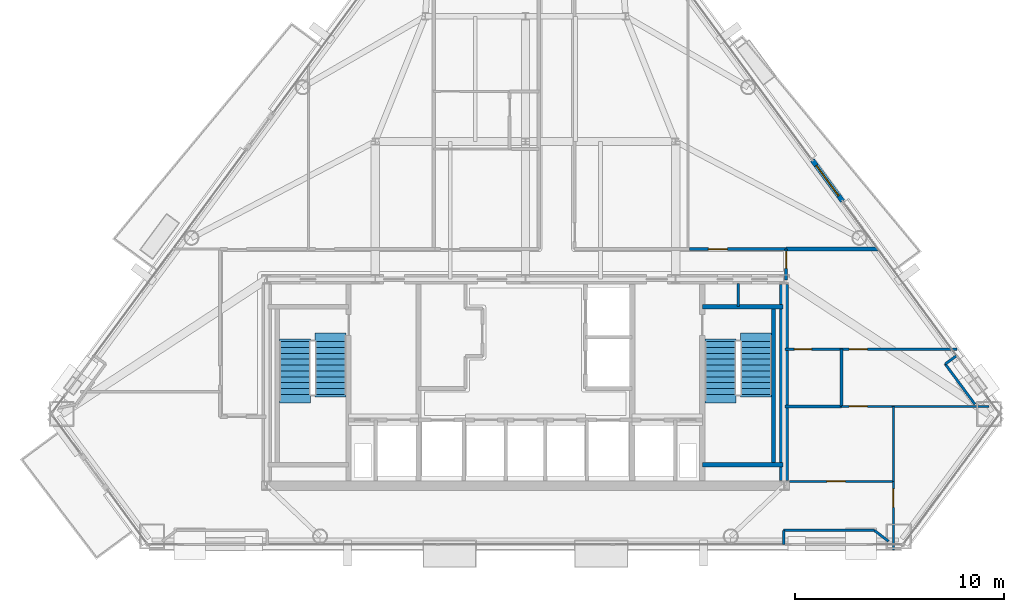
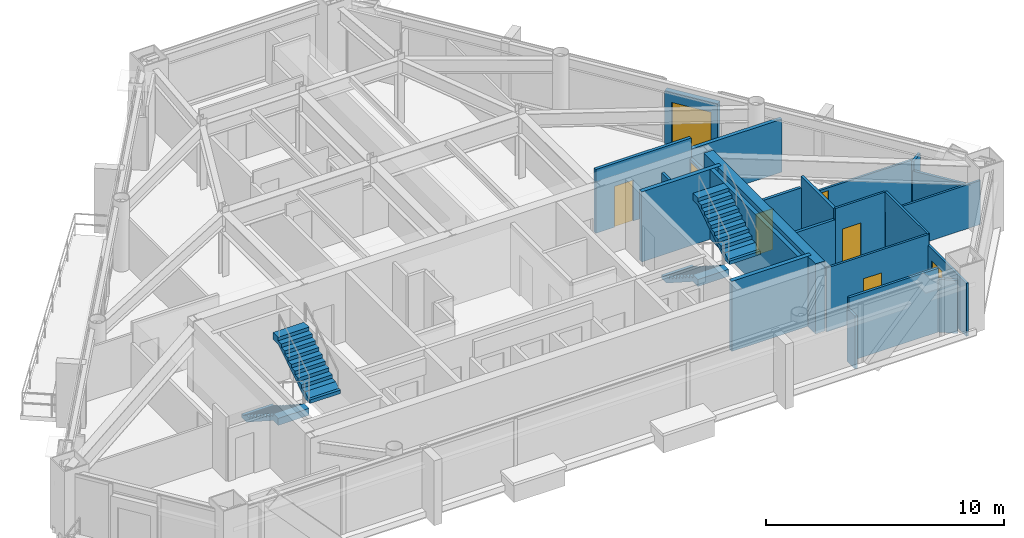
# One storey, part 10 of 12: 23 walls, 8 doors, 4 stair flights, 8 openings, 2 elements without a shape of their own.
"""IFC4 building model written with IfcOpenShell, lengths in metres."""

from ifc_helpers import new_model, si_unit, direction, frame, frame_2d, origin, place, context, subcontext, project, spatial, polyline, rectangle, outline, extrude, material, layer, layer_set, type_object, element, fill, aggregate, save


model = new_model("IFC4")

# Units and contexts
model_context = context("Model", 3, precision=1e-05, world=origin(), true_north=direction((0.0, 1.0)))
body_context = subcontext(model_context, "Body", "Model", "MODEL_VIEW")
ifc_project = project(units=[si_unit("LENGTHUNIT", "METRE"), si_unit("AREAUNIT", "SQUARE_METRE"), si_unit("VOLUMEUNIT", "CUBIC_METRE"), si_unit("PLANEANGLEUNIT", "RADIAN"), si_unit("MASSUNIT", "GRAM", prefix="KILO")], contexts=[model_context])

# Site, building, storey
site_placement = place(None, origin())
site = spatial("IfcSite", under=ifc_project, at=site_placement, CompositionType="ELEMENT")
building_placement = place(site_placement, origin())
building = spatial("IfcBuilding", under=site, at=building_placement, Name="Talgorran Terracotta Tower", CompositionType="ELEMENT")
storey_placement = place(building_placement, frame((0.0, 0.0, 165.300048828125)))
storey = spatial("IfcBuildingStorey", under=building, at=storey_placement, Name="L43", CompositionType="ELEMENT", Elevation=165.300048828125)

# Wall, opening, door
ifc_material_1 = material(Name="Concrete C40/50", Category="concrete")
ifc_layer_1 = layer(ifc_material_1, 0.239990234375, Name="WT_BALCONY_SPAND")
ifc_layer_set_1 = layer_set([ifc_layer_1], Name="Concrete C40/50")
wall_type_1 = type_object("IfcWallType", Name="WT_BALCONY_SPAND", PredefinedType="STANDARD", material=ifc_layer_set_1)
wall_1_placement = place(storey_placement, frame((15.20849609375, -0.460693359375, -0.01513671875), z_axis=(0.0, 0.0, 1.0), x_axis=(-0.593785976482, 0.804623026102, 0.0)))
wall_1 = element("IfcWall", 1, at=wall_1_placement, inside=storey, type_object=wall_type_1, Name="WL-L43-BALP-BAL-NE", PredefinedType="STANDARD", context=body_context, shape_type="SweptSolid", body=[
    extrude(rectangle(XDim=2.439697265625, YDim=0.239990234375, at=frame_2d((1.2197265625, 0.0))), origin(), (0.0, 0.0, 1.0), 2.737060546875),
])
opening_1_placement = place(wall_1_placement, frame((0.320068359375, 0.0, 0.014892578125)))
opening_1 = element("IfcOpeningElement", 2, at=opening_1_placement, cuts=wall_1, Name="Opening D-BAL-L43-1", PredefinedType="OPENING", context=body_context, shape_type="SweptSolid", body=[
    extrude(rectangle(XDim=1.806048828125, YDim=2.203951171875, at=frame_2d((0.89990234375, 1.10205078125))), frame((0.0, 0.1298828125, 0.0), z_axis=(0.0, -1.0, 0.0), x_axis=(1.0, 0.0, 0.0)), (0.0, 0.0, 1.0), 0.260009765625),
])
ifc_material_2 = material(Name="Thermally Broken Aluminium", Category="aluminium")
door_type_1 = type_object("IfcDoorType", Name="DT_BALC_1800", OperationType="SLIDING_TO_LEFT", PredefinedType="DOOR", material=ifc_material_2)
door_1_placement = place(opening_1_placement, origin())
door_1 = element("IfcDoor", 3, at=door_1_placement, inside=storey, type_object=door_type_1, Name="DR-L43-BAL-BAL-NE", OperationType="SLIDING_TO_LEFT", OverallHeight=2.199951171875, OverallWidth=1.800048828125, PredefinedType="DOOR", context=body_context, shape_type="SweptSolid", body=[
    extrude(rectangle(XDim=1.800048828125, YDim=2.199951171875, at=frame_2d((0.89990234375, 1.10009765625))), frame((0.0, 0.02490234375, 0.0), z_axis=(0.0, -1.0, 0.0), x_axis=(1.0, 0.0, 0.0)), (0.0, 0.0, 1.0), 0.050048828125),
])
fill(opening_1, door_1)

# Walls
ifc_material_3 = material(Name="Concrete C50/60", Category="concrete")
ifc_layer_2 = layer(ifc_material_3, 0.199951171875, Name="WT_CORE_200")
ifc_layer_set_2 = layer_set([ifc_layer_2], Name="Concrete C50/60")
wall_type_2 = type_object("IfcWallType", Name="WT_CORE_200", PredefinedType="SOLIDWALL", material=ifc_layer_set_2)
for number, where, z_axis, x_axis, name in (
    (4, (8.47998046875, -5.52001953125, 0.0), (0.0, 0.0, 1.0), (1.0, 0.0, 0.0), "WL-L43-CW-ST2-N"),
    (5, (8.47998046875, -13.10009765625, 0.0), (0.0, 0.0, 1.0), (1.0, 0.0, 0.0), "WL-L43-CW-ST2-S"),
):
    element("IfcWall", number, at=place(storey_placement, frame(where, z_axis=z_axis, x_axis=x_axis)), inside=storey, type_object=wall_type_2, Name=name, PredefinedType="SOLIDWALL", context=body_context, shape_type="SweptSolid", body=[
        extrude(rectangle(XDim=3.8701171875, YDim=0.199951171875, at=frame_2d((1.93505859375, 0.0))), origin(), (0.0, 0.0, 1.0), 3.599853515625),
    ])
wall_2_placement = place(storey_placement, frame((11.89990234375, -13.10009765625, 0.0), z_axis=(0.0, 0.0, 1.0), x_axis=(0.0, 1.0, 0.0)))
element("IfcWall", 6, at=wall_2_placement, inside=storey, type_object=wall_type_2, Name="WL-L43-CW-ST2-E", PredefinedType="SOLIDWALL", context=body_context, shape_type="SweptSolid", body=[
    extrude(rectangle(XDim=7.580078125, YDim=0.199951171875, at=frame_2d((3.7900390625, 0.0))), origin(), (0.0, 0.0, 1.0), 3.599853515625),
])
ifc_material_4 = material(Name="Concrete C65/80", Category="concrete")
ifc_layer_3 = layer(ifc_material_4, 0.449951171875, Name="WT_CORE_EXT")
ifc_layer_set_3 = layer_set([ifc_layer_3], Name="Concrete C65/80")
wall_type_3 = type_object("IfcWallType", Name="WT_CORE_EXT", PredefinedType="SHEAR", material=ifc_layer_set_3)
wall_3_placement = place(storey_placement, frame((12.39990234375, -13.85009765625, 0.0), z_axis=(0.0, 0.0, 1.0), x_axis=(0.0, 1.0, 0.0)))
element("IfcWall", 7, at=wall_3_placement, inside=storey, type_object=wall_type_3, Name="WL-L43-CW-OUT-E", PredefinedType="SHEAR", context=body_context, shape_type="SweptSolid", body=[
    extrude(rectangle(XDim=9.400146484375, YDim=0.449951171875, at=frame_2d((4.7001953125, 0.0))), origin(), (0.0, 0.0, 1.0), 3.599853515625),
])

# Wall, opening, door
ifc_material_5 = material(Name="Fire-Rated Steel Stud Plasterboard", Category="steel")
ifc_layer_4 = layer(ifc_material_5, 0.14990234375, Name="WT_FIRE_150")
ifc_layer_set_4 = layer_set([ifc_layer_4], Name="Fire-Rated Steel Stud Plasterboard")
wall_type_4 = type_object("IfcWallType", Name="WT_FIRE_150", PredefinedType="PARTITIONING", material=ifc_layer_set_4)
wall_4_placement = place(storey_placement, frame((7.862060546875, -2.760009765625, 0.0), z_axis=(0.0, 0.0, 1.0), x_axis=(1.0, 0.0, 0.0)))
wall_4 = element("IfcWall", 8, at=wall_4_placement, inside=storey, type_object=wall_type_4, Name="WL-L43-W-L43-R16", PredefinedType="PARTITIONING", context=body_context, shape_type="SweptSolid", body=[
    extrude(rectangle(XDim=4.637939453125, YDim=0.14990234375, at=frame_2d((2.31884765625, 0.0))), origin(), (0.0, 0.0, 1.0), 3.280029296875),
])
opening_2_placement = place(wall_4_placement, frame((0.912841796875, 0.0, 0.0)))
opening_2 = element("IfcOpeningElement", 9, at=opening_2_placement, cuts=wall_4, Name="Opening DR-L43-R16", PredefinedType="OPENING", context=body_context, shape_type="SweptSolid", body=[
    extrude(rectangle(XDim=0.90590234375, YDim=2.10409765625, at=frame_2d((0.449951171875, 1.052001953125))), frame((0.0, 0.0849609375, 0.0), z_axis=(0.0, -1.0, 0.0), x_axis=(1.0, 0.0, 0.0)), (0.0, 0.0, 1.0), 0.169921875),
])
ifc_material_6 = material(Name="Fire-Rated Timber Core", Category="wood")
door_type_2 = type_object("IfcDoorType", Name="DT_FIRE_900", OperationType="NOTDEFINED", PredefinedType="DOOR", material=ifc_material_6)
door_2_placement = place(opening_2_placement, origin())
door_2 = element("IfcDoor", 10, at=door_2_placement, inside=storey, type_object=door_type_2, Name="DR-L43-R16", OperationType="SINGLE_SWING_RIGHT", OverallHeight=2.10009765625, OverallWidth=0.89990234375, PredefinedType="DOOR", context=body_context, shape_type="SweptSolid", body=[
    extrude(rectangle(XDim=0.89990234375, YDim=2.10009765625, at=frame_2d((0.449951171875, 1.050048828125))), frame((0.0, 0.02490234375, 0.0), z_axis=(0.0, -1.0, 0.0), x_axis=(1.0, 0.0, 0.0)), (0.0, 0.0, 1.0), 0.050048828125),
])
fill(opening_2, door_2)

wall_5_placement = place(storey_placement, frame((12.5, -4.239990234375, 0.0), z_axis=(0.0, 0.0, 1.0), x_axis=(0.0, 1.0, 0.0)))
wall_5 = element("IfcWall", 11, at=wall_5_placement, inside=storey, type_object=wall_type_4, Name="WL-L43-W-L43-R04", PredefinedType="PARTITIONING", context=body_context, shape_type="SweptSolid", body=[
    extrude(rectangle(XDim=1.47998046875, YDim=0.14990234375, at=frame_2d((0.739990234375, 0.0))), origin(), (0.0, 0.0, 1.0), 2.2548828125),
])
opening_3_placement = place(wall_5_placement, frame((0.56005859375, 0.0, 0.0)))
opening_3 = element("IfcOpeningElement", 12, at=opening_3_placement, cuts=wall_5, Name="Opening DR-L43-R03", PredefinedType="OPENING", context=body_context, shape_type="SweptSolid", body=[
    extrude(rectangle(XDim=0.826068359375, YDim=2.10409765625, at=frame_2d((0.41015625, 1.052001953125))), frame((0.0, 0.0849609375, 0.0), z_axis=(0.0, -1.0, 0.0), x_axis=(1.0, 0.0, 0.0)), (0.0, 0.0, 1.0), 0.169921875),
])
ifc_material_7 = material(Name="Moisture-Resistant Solid Timber", Category="wood")
door_type_3 = type_object("IfcDoorType", Name="DT_INT_820", OperationType="NOTDEFINED", PredefinedType="DOOR", material=ifc_material_7)
door_3_placement = place(opening_3_placement, origin())
door_3 = element("IfcDoor", 13, at=door_3_placement, inside=storey, type_object=door_type_3, Name="DR-L43-R03", OperationType="SINGLE_SWING_LEFT", OverallHeight=2.10009765625, OverallWidth=0.820068359375, PredefinedType="DOOR", context=body_context, shape_type="SweptSolid", body=[
    extrude(rectangle(XDim=0.820068359375, YDim=2.10009765625, at=frame_2d((0.41015625, 1.050048828125))), frame((0.0, 0.02490234375, 0.0), z_axis=(0.0, -1.0, 0.0), x_axis=(1.0, 0.0, 0.0)), (0.0, 0.0, 1.0), 0.050048828125),
])
fill(opening_3, door_3)

# Wall
ifc_material_8 = material(Name="Acoustic Stud and Plasterboard")
ifc_layer_5 = layer(ifc_material_8, 0.179931640625, Name="WT_PARTY_200")
ifc_layer_set_5 = layer_set([ifc_layer_5], Name="Acoustic Stud and Plasterboard")
wall_type_5 = type_object("IfcWallType", Name="WT_PARTY_200", PredefinedType="PARTITIONING", material=ifc_layer_set_5)
wall_6_placement = place(storey_placement, frame((12.5, -2.760009765625, 0.0), z_axis=(0.0, 0.0, 1.0), x_axis=(1.0, 0.0, 0.0)))
element("IfcWall", 14, at=wall_6_placement, inside=storey, type_object=wall_type_5, Name="WL-L43-W-L43-R21", PredefinedType="PARTITIONING", context=body_context, shape_type="SweptSolid", body=[
    extrude(rectangle(XDim=4.4052734375, YDim=0.179931640625, at=frame_2d((2.20263671875, 0.0))), origin(), (0.0, 0.0, 1.0), 2.721923828125),
])

# Wall, opening, door
ifc_material_9 = material(Name="Lightweight Steel Stud Partition", Category="steel")
ifc_layer_6 = layer(ifc_material_9, 0.10498046875, Name="WT_PART_110")
ifc_layer_set_6 = layer_set([ifc_layer_6], Name="Lightweight Steel Stud Partition")
wall_type_6 = type_object("IfcWallType", Name="WT_PART_110", PredefinedType="PARTITIONING", material=ifc_layer_set_6)
wall_7_placement = place(storey_placement, frame((15.080078125, -7.56005859375, 0.0), z_axis=(0.0, 0.0, 1.0), x_axis=(1.0, 0.0, 0.0)))
wall_7 = element("IfcWall", 15, at=wall_7_placement, inside=storey, type_object=wall_type_6, Name="WL-L43-W-L43-R20", PredefinedType="PARTITIONING", context=body_context, shape_type="SweptSolid", body=[
    extrude(rectangle(XDim=5.619873046875, YDim=0.10498046875, at=frame_2d((2.81005859375, 0.0))), origin(), (0.0, 0.0, 1.0), 2.2548828125),
])
opening_4_placement = place(wall_7_placement, frame((0.43701171875, 0.0, 0.0)))
opening_4 = element("IfcOpeningElement", 16, at=opening_4_placement, cuts=wall_7, Name="Opening DR-L43-R05", PredefinedType="OPENING", context=body_context, shape_type="SweptSolid", body=[
    extrude(rectangle(XDim=0.8858828125, YDim=2.10409765625, at=frame_2d((0.43994140625, 1.052001953125))), frame((0.0, 0.0625, 0.0), z_axis=(0.0, -1.0, 0.0), x_axis=(1.0, 0.0, 0.0)), (0.0, 0.0, 1.0), 0.125),
])
ifc_material_10 = material(Name="Solid-Core Painted Timber", Category="wood")
door_type_4 = type_object("IfcDoorType", Name="DT_INT_880", OperationType="NOTDEFINED", PredefinedType="DOOR", material=ifc_material_10)
door_4_placement = place(opening_4_placement, origin())
door_4 = element("IfcDoor", 17, at=door_4_placement, inside=storey, type_object=door_type_4, Name="DR-L43-R05", OperationType="SINGLE_SWING_LEFT", OverallHeight=2.10009765625, OverallWidth=0.8798828125, PredefinedType="DOOR", context=body_context, shape_type="SweptSolid", body=[
    extrude(rectangle(XDim=0.8798828125, YDim=2.10009765625, at=frame_2d((0.43994140625, 1.050048828125))), frame((0.0, 0.02490234375, 0.0), z_axis=(0.0, -1.0, 0.0), x_axis=(1.0, 0.0, 0.0)), (0.0, 0.0, 1.0), 0.050048828125),
])
fill(opening_4, door_4)

wall_8_placement = place(storey_placement, frame((12.652099609375, -13.89990234375, 0.0), z_axis=(0.0, 0.0, 1.0), x_axis=(1.0, 0.0, 0.0)))
wall_8 = element("IfcWall", 18, at=wall_8_placement, inside=storey, type_object=wall_type_6, Name="WL-L43-W-L43-R27", PredefinedType="PARTITIONING", context=body_context, shape_type="SweptSolid", body=[
    extrude(rectangle(XDim=4.98779296875, YDim=0.10498046875, at=frame_2d((2.493896484375, 0.0))), origin(), (0.0, 0.0, 1.0), 3.280029296875),
])
opening_5_placement = place(wall_8_placement, frame((1.799560546875, 0.0, 0.0)))
opening_5 = element("IfcOpeningElement", 19, at=opening_5_placement, cuts=wall_8, Name="Opening DR-L43-R06", PredefinedType="OPENING", context=body_context, shape_type="SweptSolid", body=[
    extrude(rectangle(XDim=0.8858828125, YDim=2.10409765625, at=frame_2d((0.43994140625, 1.052001953125))), frame((0.0, 0.0625, 0.0), z_axis=(0.0, -1.0, 0.0), x_axis=(1.0, 0.0, 0.0)), (0.0, 0.0, 1.0), 0.125),
])
door_5_placement = place(opening_5_placement, origin())
door_5 = element("IfcDoor", 20, at=door_5_placement, inside=storey, type_object=door_type_4, Name="DR-L43-R06", OperationType="SINGLE_SWING_RIGHT", OverallHeight=2.10009765625, OverallWidth=0.8798828125, PredefinedType="DOOR", context=body_context, shape_type="SweptSolid", body=[
    extrude(rectangle(XDim=0.8798828125, YDim=2.10009765625, at=frame_2d((0.43994140625, 1.050048828125))), frame((0.0, 0.02490234375, 0.0), z_axis=(0.0, -1.0, 0.0), x_axis=(1.0, 0.0, 0.0)), (0.0, 0.0, 1.0), 0.050048828125),
])
fill(opening_5, door_5)

# Walls
wall_9_placement = place(storey_placement, frame((17.580078125, -10.300048828125, 0.0), z_axis=(0.0, 0.0, 1.0), x_axis=(1.0, 0.0, 0.0)))
element("IfcWall", 21, at=wall_9_placement, inside=storey, type_object=wall_type_6, Name="WL-L43-W-L43-R25", PredefinedType="PARTITIONING", context=body_context, shape_type="SweptSolid", body=[
    extrude(rectangle(XDim=4.639892578125, YDim=0.10498046875, at=frame_2d((2.31982421875, 0.0))), origin(), (0.0, 0.0, 1.0), 2.2548828125),
])
wall_10_placement = place(storey_placement, frame((17.639892578125, -13.89990234375, 0.0), z_axis=(0.0, 0.0, 1.0), x_axis=(0.0, 1.0, 0.0)))
element("IfcWall", 22, at=wall_10_placement, inside=storey, type_object=wall_type_6, Name="WL-L43-W-L43-R29", PredefinedType="PARTITIONING", context=body_context, shape_type="SweptSolid", body=[
    extrude(rectangle(XDim=3.599853515625, YDim=0.10498046875, at=frame_2d((1.7998046875, 0.0))), origin(), (0.0, 0.0, 1.0), 3.280029296875),
])

# Wall, opening, door
wall_11_placement = place(storey_placement, frame((17.639892578125, -17.179931640625, 0.0), z_axis=(0.0, 0.0, 1.0), x_axis=(0.0, 1.0, 0.0)))
wall_11 = element("IfcWall", 23, at=wall_11_placement, inside=storey, type_object=wall_type_6, Name="WL-L43-W-L43-R28", PredefinedType="PARTITIONING", context=body_context, shape_type="SweptSolid", body=[
    extrude(rectangle(XDim=3.280029296875, YDim=0.10498046875, at=frame_2d((1.64013671875, 0.0))), origin(), (0.0, 0.0, 1.0), 2.721923828125),
])
opening_6_placement = place(wall_11_placement, frame((2.04248046875, 0.0, 0.0)))
opening_6 = element("IfcOpeningElement", 24, at=opening_6_placement, cuts=wall_11, Name="Opening DR-L43-R07", PredefinedType="OPENING", context=body_context, shape_type="SweptSolid", body=[
    extrude(rectangle(XDim=0.8858828125, YDim=2.10409765625, at=frame_2d((0.43994140625, 1.052001953125))), frame((0.0, 0.0625, 0.0), z_axis=(0.0, -1.0, 0.0), x_axis=(1.0, 0.0, 0.0)), (0.0, 0.0, 1.0), 0.125),
])
door_6_placement = place(opening_6_placement, origin())
door_6 = element("IfcDoor", 25, at=door_6_placement, inside=storey, type_object=door_type_4, Name="DR-L43-R07", OperationType="SINGLE_SWING_LEFT", OverallHeight=2.10009765625, OverallWidth=0.8798828125, PredefinedType="DOOR", context=body_context, shape_type="SweptSolid", body=[
    extrude(rectangle(XDim=0.8798828125, YDim=2.10009765625, at=frame_2d((0.43994140625, 1.050048828125))), frame((0.0, 0.02490234375, 0.0), z_axis=(0.0, -1.0, 0.0), x_axis=(1.0, 0.0, 0.0)), (0.0, 0.0, 1.0), 0.050048828125),
])
fill(opening_6, door_6)

wall_12_placement = place(storey_placement, frame((15.159912109375, -10.300048828125, 0.0), z_axis=(0.0, 0.0, 1.0), x_axis=(1.0, 0.0, 0.0)))
wall_12 = element("IfcWall", 26, at=wall_12_placement, inside=storey, type_object=wall_type_6, Name="WL-L43-W-L43-R24", PredefinedType="PARTITIONING", context=body_context, shape_type="SweptSolid", body=[
    extrude(rectangle(XDim=2.41796875, YDim=0.10498046875, at=frame_2d((1.208984375, 0.0))), origin(), (0.0, 0.0, 1.0), 3.280029296875),
])
opening_7_placement = place(wall_12_placement, frame((0.356689453125, 0.0, 0.0)))
opening_7 = element("IfcOpeningElement", 27, at=opening_7_placement, cuts=wall_12, Name="Opening DR-L43-R17", PredefinedType="OPENING", context=body_context, shape_type="SweptSolid", body=[
    extrude(rectangle(XDim=0.8858828125, YDim=2.10409765625, at=frame_2d((0.43994140625, 1.052001953125))), frame((0.0, 0.0625, 0.0), z_axis=(0.0, -1.0, 0.0), x_axis=(1.0, 0.0, 0.0)), (0.0, 0.0, 1.0), 0.125),
])
door_7_placement = place(opening_7_placement, origin())
door_7 = element("IfcDoor", 28, at=door_7_placement, inside=storey, type_object=door_type_4, Name="DR-L43-R17", OperationType="SINGLE_SWING_LEFT", OverallHeight=2.10009765625, OverallWidth=0.8798828125, PredefinedType="DOOR", context=body_context, shape_type="SweptSolid", body=[
    extrude(rectangle(XDim=0.8798828125, YDim=2.10009765625, at=frame_2d((0.43994140625, 1.050048828125))), frame((0.0, 0.02490234375, 0.0), z_axis=(0.0, -1.0, 0.0), x_axis=(1.0, 0.0, 0.0)), (0.0, 0.0, 1.0), 0.050048828125),
])
fill(opening_7, door_7)

# Walls
ifc_material_11 = material(Name="Insulated Steel Stud Plasterboard", Category="steel")
ifc_layer_7 = layer(ifc_material_11, 0.1201171875, Name="WT_PART_120")
ifc_layer_set_7 = layer_set([ifc_layer_7], Name="Insulated Steel Stud Plasterboard")
wall_type_7 = type_object("IfcWallType", Name="WT_PART_120", PredefinedType="PARTITIONING", material=ifc_layer_set_7)
wall_13_placement = place(storey_placement, frame((10.199951171875, -5.52001953125, 0.0), z_axis=(0.0, 0.0, 1.0), x_axis=(0.0, 1.0, 0.0)))
element("IfcWall", 29, at=wall_13_placement, inside=storey, type_object=wall_type_7, Name="WL-L43-CW-CSE-DIV", PredefinedType="PARTITIONING", context=body_context, shape_type="SweptSolid", body=[
    extrude(rectangle(XDim=1.1201171875, YDim=0.1201171875, at=frame_2d((0.56005859375, 0.0))), origin(), (0.0, 0.0, 1.0), 3.280029296875),
])
wall_14_placement = place(storey_placement, frame((12.377685546875, -16.25, 0.0), z_axis=(0.0, 0.0, 1.0), x_axis=(1.0, 0.0, 0.0)))
element("IfcWall", 30, at=wall_14_placement, inside=storey, type_object=wall_type_7, Name="WL-L43-BW-L43-06", PredefinedType="PARTITIONING", context=body_context, shape_type="SweptSolid", body=[
    extrude(rectangle(XDim=4.353515625, YDim=0.1201171875, at=frame_2d((2.1767578125, 0.0))), origin(), (0.0, 0.0, 1.0), 3.280029296875),
])
wall_15_placement = place(storey_placement, frame((21.55419921875, -10.204833984375, 0.0), z_axis=(0.0, 0.0, 1.0), x_axis=(-0.593742732842, 0.804654936726, 0.0)))
element("IfcWall", 31, at=wall_15_placement, inside=storey, type_object=wall_type_7, Name="WL-L43-BW-L43-13", PredefinedType="PARTITIONING", context=body_context, shape_type="SweptSolid", body=[
    extrude(rectangle(XDim=2.404296875, YDim=0.1201171875, at=frame_2d((1.2021484375, 0.0))), origin(), (0.0, 0.0, 1.0), 2.2548828125),
])
wall_16_placement = place(storey_placement, frame((16.731201171875, -16.25, 0.0), z_axis=(0.0, 0.0, 1.0), x_axis=(0.794820504859, -0.606844597122, 0.0)))
element("IfcWall", 32, at=wall_16_placement, inside=storey, type_object=wall_type_7, Name="WL-L43-BW-L43-04", PredefinedType="PARTITIONING", context=body_context, shape_type="SweptSolid", body=[
    extrude(rectangle(XDim=0.853271484375, YDim=0.1201171875, at=frame_2d((0.4267578125, 0.0))), origin(), (0.0, 0.0, 1.0), 2.721923828125),
])
for number, where, z_axis, x_axis, name in (
    (33, (20.126708984375, -8.2705078125, 0.0), (0.0, 0.0, 1.0), (0.80452433553, 0.593919686102, 0.0), "WL-L43-BW-L43-11"),
    (34, (12.377685546875, -16.919921875, 0.0), (0.0, 0.0, 1.0), (0.0, 1.0, 0.0), "WL-L43-BW-L43-05"),
):
    element("IfcWall", number, at=place(storey_placement, frame(where, z_axis=z_axis, x_axis=x_axis)), inside=storey, type_object=wall_type_7, Name=name, PredefinedType="PARTITIONING", context=body_context, shape_type="SweptSolid", body=[
        extrude(rectangle(XDim=0.669921875, YDim=0.1201171875, at=frame_2d((0.3349609375, 0.0))), origin(), (0.0, 0.0, 1.0), 2.721923828125),
    ])

# Wall, opening, door
ifc_material_12 = material(Name="Moisture-Resistant Stud Wall")
ifc_layer_8 = layer(ifc_material_12, 0.135009765625, Name="WT_PART_135")
ifc_layer_set_8 = layer_set([ifc_layer_8], Name="Moisture-Resistant Stud Wall")
wall_type_8 = type_object("IfcWallType", Name="WT_PART_135", PredefinedType="PARTITIONING", material=ifc_layer_set_8)
wall_17_placement = place(storey_placement, frame((12.43994140625, -7.56005859375, 0.0), z_axis=(0.0, 0.0, 1.0), x_axis=(1.0, 0.0, 0.0)))
wall_17 = element("IfcWall", 35, at=wall_17_placement, inside=storey, type_object=wall_type_8, Name="WL-L43-W-L43-R19", PredefinedType="PARTITIONING", context=body_context, shape_type="SweptSolid", body=[
    extrude(rectangle(XDim=2.637939453125, YDim=0.135009765625, at=frame_2d((1.31884765625, 0.0))), origin(), (0.0, 0.0, 1.0), 2.721923828125),
])
opening_8_placement = place(wall_17_placement, frame((0.457763671875, 0.0, 0.0)))
opening_8 = element("IfcOpeningElement", 36, at=opening_8_placement, cuts=wall_17, Name="Opening DR-L43-R04", PredefinedType="OPENING", context=body_context, shape_type="SweptSolid", body=[
    extrude(rectangle(XDim=0.826068359375, YDim=2.10409765625, at=frame_2d((0.41015625, 1.052001953125))), frame((0.0, 0.07763671875, 0.0), z_axis=(0.0, -1.0, 0.0), x_axis=(1.0, 0.0, 0.0)), (0.0, 0.0, 1.0), 0.155029296875),
])
door_8_placement = place(opening_8_placement, origin())
door_8 = element("IfcDoor", 37, at=door_8_placement, inside=storey, type_object=door_type_3, Name="DR-L43-R04", OperationType="SINGLE_SWING_RIGHT", OverallHeight=2.10009765625, OverallWidth=0.820068359375, PredefinedType="DOOR", context=body_context, shape_type="SweptSolid", body=[
    extrude(rectangle(XDim=0.820068359375, YDim=2.10009765625, at=frame_2d((0.41015625, 1.050048828125))), frame((0.0, 0.02490234375, 0.0), z_axis=(0.0, -1.0, 0.0), x_axis=(1.0, 0.0, 0.0)), (0.0, 0.0, 1.0), 0.050048828125),
])
fill(opening_8, door_8)

# Walls
wall_18_placement = place(storey_placement, frame((15.159912109375, -10.300048828125, 0.0), z_axis=(0.0, 0.0, 1.0), x_axis=(0.0, 1.0, 0.0)))
element("IfcWall", 38, at=wall_18_placement, inside=storey, type_object=wall_type_8, Name="WL-L43-W-L43-R22", PredefinedType="PARTITIONING", context=body_context, shape_type="SweptSolid", body=[
    extrude(rectangle(XDim=2.739990234375, YDim=0.135009765625, at=frame_2d((1.3701171875, 0.0))), origin(), (0.0, 0.0, 1.0), 3.280029296875),
])
wall_19_placement = place(storey_placement, frame((12.43994140625, -10.300048828125, 0.0), z_axis=(0.0, 0.0, 1.0), x_axis=(1.0, 0.0, 0.0)))
element("IfcWall", 39, at=wall_19_placement, inside=storey, type_object=wall_type_8, Name="WL-L43-W-L43-R23", PredefinedType="PARTITIONING", context=body_context, shape_type="SweptSolid", body=[
    extrude(rectangle(XDim=2.719970703125, YDim=0.135009765625, at=frame_2d((1.35986328125, 0.0))), origin(), (0.0, 0.0, 1.0), 2.721923828125),
])

# Stair, stair flights
stair_type = type_object("IfcStairType", Name="ST_FIRE_SCISSOR", PredefinedType="HALF_TURN_STAIR", material=ifc_material_1)
stair_1_placement = place(storey_placement, origin())
stair_1 = element("IfcStair", 40, at=stair_1_placement, inside=storey, type_object=stair_type, Name="L43 West Protected Fire Stair ST-01", PredefinedType="HALF_TURN_STAIR")
ifc_layer_9 = layer(ifc_material_1, 0.179931640625, Name="STF_RC_1500")
ifc_layer_set_9 = layer_set([ifc_layer_9], Name="Concrete C40/50")
stair_flight_type = type_object("IfcStairFlightType", Name="STF_RC_1500", PredefinedType="STRAIGHT", material=ifc_layer_set_9)
stair_flight_1_placement = place(storey_placement, frame((-11.050048828125, -7.199951171875, 0.0), z_axis=(0.0, 0.0, 1.0), x_axis=(0.0, -1.0, 0.0)))
stair_flight_1 = element("IfcStairFlight", 41, at=stair_flight_1_placement, type_object=stair_flight_type, Name="ST-01 flight 1", NumberOfRisers=10, NumberOfTreads=9, PredefinedType="STRAIGHT", RiserHeight=0.18, TreadLength=0.28, context=body_context, shape_type="SweptSolid", body=[
    extrude(outline(polyline([(-0.139892578125, 0.0), (-0.139892578125, 0.179931640625), (0.0, 0.179931640625), (0.280029296875, 0.360107421875), (0.56005859375, 0.360107421875), (0.56005859375, 0.5400390625), (0.840087890625, 0.5400390625), (0.840087890625, 0.719970703125), (1.1201171875, 0.719970703125), (1.1201171875, 0.89990234375), (1.39990234375, 0.89990234375), (1.39990234375, 1.080078125), (1.679931640625, 1.080078125), (1.679931640625, 1.260009765625), (1.9599609375, 1.260009765625), (1.9599609375, 1.43994140625), (2.239990234375, 1.43994140625), (2.239990234375, 1.6201171875), (2.52001953125, 1.6201171875), (2.52001953125, 1.800048828125), (2.93994140625, 1.800048828125), (2.93994140625, 1.44189453125), (2.52001953125, 1.44189453125), (0.277099609375, 0.0), (-0.139892578125, 0.0)])), frame((0.0, 0.75, 0.0), z_axis=(0.0, -1.0, 0.0), x_axis=(1.0, 0.0, 0.0)), (0.0, 0.0, 1.0), 1.5),
])
stair_flight_2_placement = place(storey_placement, frame((-9.35009765625, -9.719970703125, 1.800048828125), z_axis=(0.0, 0.0, 1.0), x_axis=(0.0, 1.0, 0.0)))
stair_flight_2 = element("IfcStairFlight", 42, at=stair_flight_2_placement, type_object=stair_flight_type, Name="ST-01 flight 2", NumberOfRisers=10, NumberOfTreads=9, PredefinedType="STRAIGHT", RiserHeight=0.18, TreadLength=0.28, context=body_context, shape_type="SweptSolid", body=[
    extrude(outline(polyline([(-0.139892578125, 0.0), (-0.139892578125, 0.179931640625), (0.0, 0.179931640625), (0.280029296875, 0.360107421875), (0.56005859375, 0.360107421875), (0.56005859375, 0.5400390625), (0.840087890625, 0.5400390625), (0.840087890625, 0.719970703125), (1.1201171875, 0.719970703125), (1.1201171875, 0.89990234375), (1.39990234375, 0.89990234375), (1.39990234375, 1.080078125), (1.679931640625, 1.080078125), (1.679931640625, 1.260009765625), (1.9599609375, 1.260009765625), (1.9599609375, 1.43994140625), (2.239990234375, 1.43994140625), (2.239990234375, 1.6201171875), (2.52001953125, 1.6201171875), (2.52001953125, 1.800048828125), (2.93994140625, 1.800048828125), (2.93994140625, 1.44189453125), (2.52001953125, 1.44189453125), (0.277099609375, 0.0), (-0.139892578125, 0.0)])), frame((0.0, 0.75, 0.0), z_axis=(0.0, -1.0, 0.0), x_axis=(1.0, 0.0, 0.0)), (0.0, 0.0, 1.0), 1.5),
])
aggregate(stair_1, [stair_flight_1, stair_flight_2])

stair_2_placement = place(storey_placement, origin())
stair_2 = element("IfcStair", 43, at=stair_2_placement, inside=storey, type_object=stair_type, Name="L43 East Protected Fire Stair ST-02", PredefinedType="HALF_TURN_STAIR")
stair_flight_3_placement = place(storey_placement, frame((9.35009765625, -7.199951171875, 0.0), z_axis=(0.0, 0.0, 1.0), x_axis=(0.0, -1.0, 0.0)))
stair_flight_3 = element("IfcStairFlight", 44, at=stair_flight_3_placement, type_object=stair_flight_type, Name="ST-02 flight 1", NumberOfRisers=10, NumberOfTreads=9, PredefinedType="STRAIGHT", RiserHeight=0.18, TreadLength=0.28, context=body_context, shape_type="SweptSolid", body=[
    extrude(outline(polyline([(-0.139892578125, 0.0), (-0.139892578125, 0.179931640625), (0.0, 0.179931640625), (0.280029296875, 0.360107421875), (0.56005859375, 0.360107421875), (0.56005859375, 0.5400390625), (0.840087890625, 0.5400390625), (0.840087890625, 0.719970703125), (1.1201171875, 0.719970703125), (1.1201171875, 0.89990234375), (1.39990234375, 0.89990234375), (1.39990234375, 1.080078125), (1.679931640625, 1.080078125), (1.679931640625, 1.260009765625), (1.9599609375, 1.260009765625), (1.9599609375, 1.43994140625), (2.239990234375, 1.43994140625), (2.239990234375, 1.6201171875), (2.52001953125, 1.6201171875), (2.52001953125, 1.800048828125), (2.93994140625, 1.800048828125), (2.93994140625, 1.44189453125), (2.52001953125, 1.44189453125), (0.277099609375, 0.0), (-0.139892578125, 0.0)])), frame((0.0, 0.75, 0.0), z_axis=(0.0, -1.0, 0.0), x_axis=(1.0, 0.0, 0.0)), (0.0, 0.0, 1.0), 1.5),
])
stair_flight_4_placement = place(storey_placement, frame((11.050048828125, -9.719970703125, 1.800048828125), z_axis=(0.0, 0.0, 1.0), x_axis=(0.0, 1.0, 0.0)))
stair_flight_4 = element("IfcStairFlight", 45, at=stair_flight_4_placement, type_object=stair_flight_type, Name="ST-02 flight 2", NumberOfRisers=10, NumberOfTreads=9, PredefinedType="STRAIGHT", RiserHeight=0.18, TreadLength=0.28, context=body_context, shape_type="SweptSolid", body=[
    extrude(outline(polyline([(-0.139892578125, 0.0), (-0.139892578125, 0.179931640625), (0.0, 0.179931640625), (0.280029296875, 0.360107421875), (0.56005859375, 0.360107421875), (0.56005859375, 0.5400390625), (0.840087890625, 0.5400390625), (0.840087890625, 0.719970703125), (1.1201171875, 0.719970703125), (1.1201171875, 0.89990234375), (1.39990234375, 0.89990234375), (1.39990234375, 1.080078125), (1.679931640625, 1.080078125), (1.679931640625, 1.260009765625), (1.9599609375, 1.260009765625), (1.9599609375, 1.43994140625), (2.239990234375, 1.43994140625), (2.239990234375, 1.6201171875), (2.52001953125, 1.6201171875), (2.52001953125, 1.800048828125), (2.93994140625, 1.800048828125), (2.93994140625, 1.44189453125), (2.52001953125, 1.44189453125), (0.277099609375, 0.0), (-0.139892578125, 0.0)])), frame((0.0, 0.75, 0.0), z_axis=(0.0, -1.0, 0.0), x_axis=(1.0, 0.0, 0.0)), (0.0, 0.0, 1.0), 1.5),
])
aggregate(stair_2, [stair_flight_3, stair_flight_4])

save(model, "model.ifc")
